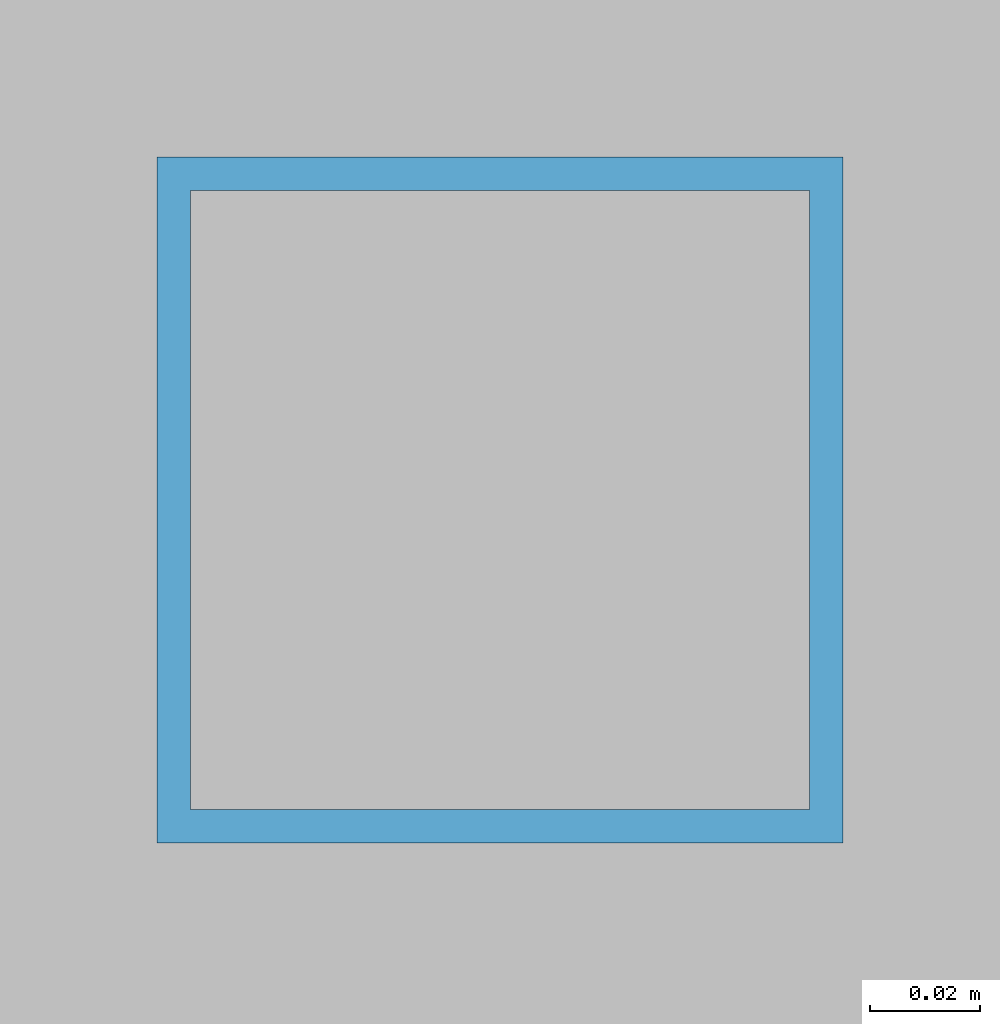
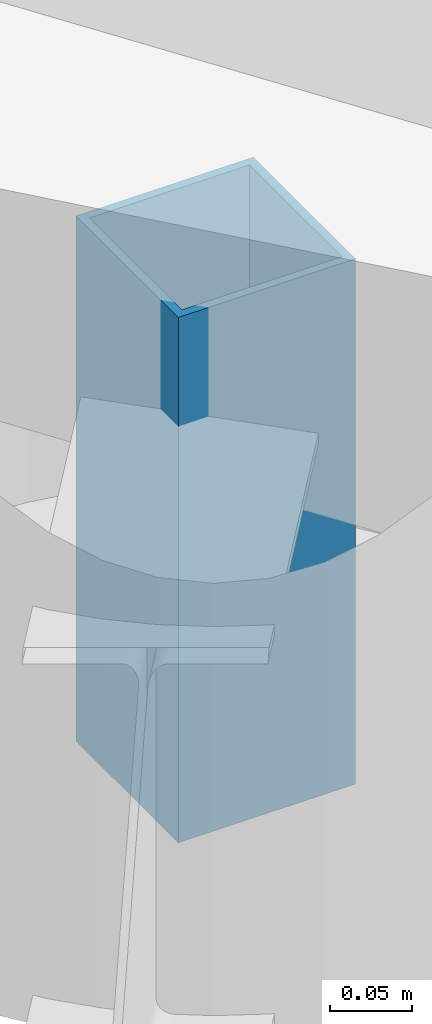
# One storey, part 65 of 93: 1 member.
"""IFC4 building model written with IfcOpenShell, lengths in metres."""

from ifc_helpers import new_model, si_unit, direction, frame, origin, origin_2d, place, context, subcontext, project, spatial, hollow_rectangle, extrude, material, material_profile, profile_set, type_object, element, save


model = new_model("IFC4")

# Units and contexts
model_context = context("Model", 3, precision=1e-05, world=origin(), true_north=direction((0.0, 1.0)))
body_context = subcontext(model_context, "Body", "Model", "MODEL_VIEW")
ifc_project = project(units=[si_unit("LENGTHUNIT", "METRE"), si_unit("AREAUNIT", "SQUARE_METRE"), si_unit("VOLUMEUNIT", "CUBIC_METRE"), si_unit("PLANEANGLEUNIT", "RADIAN"), si_unit("MASSUNIT", "GRAM", prefix="KILO")], contexts=[model_context])

# Site, building, storey
site_placement = place(None, origin())
site = spatial("IfcSite", under=ifc_project, at=site_placement, CompositionType="ELEMENT")
building_placement = place(site_placement, origin())
building = spatial("IfcBuilding", under=site, at=building_placement, Name="Vondelvale Polytechnic", CompositionType="ELEMENT")
storey_placement = place(building_placement, frame((0.0, 0.0, 18.0)))
storey = spatial("IfcBuildingStorey", under=building, at=storey_placement, Name="L04", CompositionType="ELEMENT", Elevation=18.0)

# Member
ifc_material = material(Name="Steel C350L0 (fy = 350 MPa)", Category="steel")
ifc_material_profile = material_profile(ifc_material, hollow_rectangle(XDim=0.125, YDim=0.125, WallThickness=0.006103515625, at=origin_2d()), Name="125x125x6.0SHS")
ifc_profile_set = profile_set([ifc_material_profile], Name="Steel C350L0 (fy = 350 MPa)")
member_type = type_object("IfcMemberType", Name="ROOF TRUSS POST 125SHS", PredefinedType="POST", material=ifc_profile_set)
member_placement = place(storey_placement, frame((82.200927734375, 91.799072265625, 0.0), z_axis=(0.0, 0.0, 1.0), x_axis=(1.0, 0.0, 0.0)))
element("IfcMember", 1, at=member_placement, inside=storey, type_object=member_type, Name="Ring inner eave post 09", PredefinedType="POST", context=body_context, shape_type="SweptSolid", body=[
    extrude(hollow_rectangle(XDim=0.125, YDim=0.125, WallThickness=0.006103515625, at=origin_2d()), origin(), (0.0, 0.0, 1.0), 0.3916015625),
])

save(model, "model.ifc")
